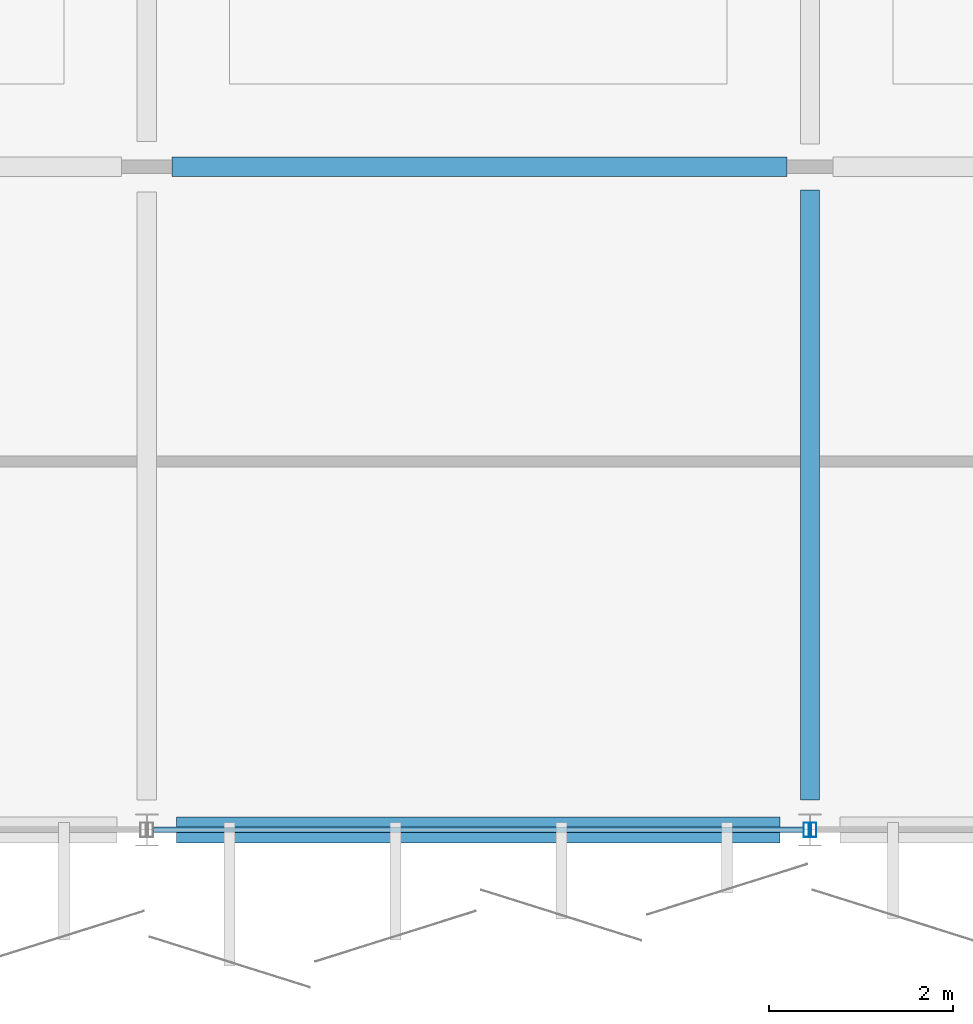
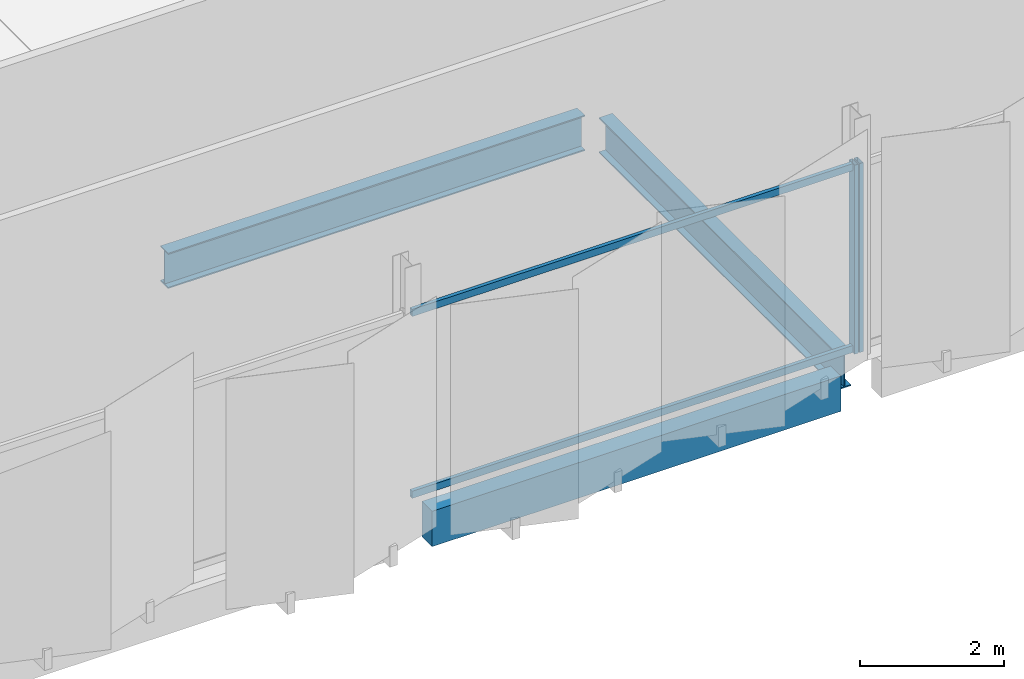
# One storey, part 27 of 91: 4 members, 3 beams, 2 elements without a shape of their own.
"""IFC4 building model written with IfcOpenShell, lengths in metres."""

from ifc_helpers import new_model, si_unit, direction, frame, origin, origin_2d, place, context, subcontext, project, spatial, rectangle, hollow_rectangle, i_section, extrude, material, layer, layer_set, material_profile, profile_set, type_object, element, aggregate, save


model = new_model("IFC4")

# Units and contexts
model_context = context("Model", 3, precision=1e-05, world=origin(), true_north=direction((0.0, 1.0)))
body_context = subcontext(model_context, "Body", "Model", "MODEL_VIEW")
ifc_project = project(units=[si_unit("LENGTHUNIT", "METRE"), si_unit("AREAUNIT", "SQUARE_METRE"), si_unit("VOLUMEUNIT", "CUBIC_METRE"), si_unit("PLANEANGLEUNIT", "RADIAN"), si_unit("MASSUNIT", "GRAM", prefix="KILO")], contexts=[model_context])

# Site, building, storey
site_placement = place(None, origin())
site = spatial("IfcSite", under=ifc_project, at=site_placement, CompositionType="ELEMENT")
building_placement = place(site_placement, origin())
building = spatial("IfcBuilding", under=site, at=building_placement, Name="Kangsadwip Square Police Headquarters", CompositionType="ELEMENT")
storey_placement = place(building_placement, frame((0.0, 0.0, 13.5)))
storey = spatial("IfcBuildingStorey", under=building, at=storey_placement, Name="L03", CompositionType="ELEMENT", Elevation=13.5)

# Curtain wall, member
ifc_material_1 = material(Name="Thermally broken anodised aluminium AW-6063-T6", Category="aluminium")
ifc_layer = layer(ifc_material_1, 0.159912109375)
ifc_layer_set = layer_set([ifc_layer], Name="Thermally broken anodised aluminium AW-6063-T6")
curtain_wall_type = type_object("IfcCurtainWallType", Name="CourtScreen7180x3200", PredefinedType="USERDEFINED", material=ifc_layer_set)
curtain_wall_1_placement = place(storey_placement, origin())
curtain_wall_1 = element("IfcCurtainWall", 1, at=curtain_wall_1_placement, inside=storey, type_object=curtain_wall_type, Name="Curtain Wall CW-L03-1008-0936", ObjectType="GLAZED_SCREEN", PredefinedType="USERDEFINED")
ifc_material_2 = material(Name="Thermally broken anodised aluminium AW-6063-T6", Category="aluminium")
ifc_material_profile_1 = material_profile(ifc_material_2, hollow_rectangle(XDim=0.06005859375, YDim=0.159912109375, WallThickness=0.00390625, at=origin_2d()), Name="CWM 160X60X4")
ifc_profile_set_1 = profile_set([ifc_material_profile_1], Name="Thermally broken anodised aluminium AW-6063-T6")
member_type_1 = type_object("IfcMemberType", Name="CwMullion135x60", PredefinedType="MULLION", material=ifc_profile_set_1)
member_1_placement = place(storey_placement, frame((107.9599609375, 93.60009765625, 0.0), z_axis=(0.0, 0.0, 1.0), x_axis=(1.0, 0.0, 0.0)))
member_1 = element("IfcMember", 2, at=member_1_placement, type_object=member_type_1, Name="CW-17 mullion 2", PredefinedType="MULLION", context=body_context, shape_type="SweptSolid", body=[
    extrude(hollow_rectangle(XDim=0.06005859375, YDim=0.159912109375, WallThickness=0.00390625, at=origin_2d()), origin(), (0.0, 0.0, 1.0), 3.199951171875),
])

curtain_wall_2_placement = place(storey_placement, origin())
curtain_wall_2 = element("IfcCurtainWall", 3, at=curtain_wall_2_placement, inside=storey, type_object=curtain_wall_type, Name="Curtain Wall CW-L03-1080-0936", ObjectType="GLAZED_SCREEN", PredefinedType="USERDEFINED")
member_2_placement = place(storey_placement, frame((108.0400390625, 93.60009765625, 0.0), z_axis=(0.0, 0.0, 1.0), x_axis=(1.0, 0.0, 0.0)))
member_2 = element("IfcMember", 4, at=member_2_placement, type_object=member_type_1, Name="CW-17 mullion 1", PredefinedType="MULLION", context=body_context, shape_type="SweptSolid", body=[
    extrude(hollow_rectangle(XDim=0.06005859375, YDim=0.159912109375, WallThickness=0.00390625, at=origin_2d()), origin(), (0.0, 0.0, 1.0), 3.199951171875),
])
aggregate(curtain_wall_2, [member_2])

# Member
ifc_material_3 = material(Name="Thermally broken anodised aluminium AW-6063-T6", Category="aluminium")
ifc_material_profile_2 = material_profile(ifc_material_3, hollow_rectangle(XDim=0.06005859375, YDim=0.1201171875, WallThickness=0.00390625, at=origin_2d()), Name="CWT 120X60X4")
ifc_profile_set_2 = profile_set([ifc_material_profile_2], Name="Thermally broken anodised aluminium AW-6063-T6")
member_type_2 = type_object("IfcMemberType", Name="CwTransom120x55", PredefinedType="USERDEFINED", material=ifc_profile_set_2)
member_3_placement = place(storey_placement, frame((100.8701171875, 93.60009765625, 0.06005859375), z_axis=(1.0, 0.0, 0.0), x_axis=(0.0, 1.0, 0.0)))
member_3 = element("IfcMember", 5, at=member_3_placement, type_object=member_type_2, Name="CW-17 transom 1.1", ObjectType="TRANSOM", PredefinedType="USERDEFINED", context=body_context, shape_type="SweptSolid", body=[
    extrude(hollow_rectangle(XDim=0.06005859375, YDim=0.1201171875, WallThickness=0.00390625, at=origin_2d()), origin(), (0.0, 0.0, 1.0), 7.059814453125),
])

member_4_placement = place(storey_placement, frame((100.8701171875, 93.60009765625, 3.139892578125), z_axis=(1.0, 0.0, 0.0), x_axis=(0.0, 1.0, 0.0)))
member_4 = element("IfcMember", 6, at=member_4_placement, type_object=member_type_2, Name="CW-17 transom 1.2", ObjectType="TRANSOM", PredefinedType="USERDEFINED", context=body_context, shape_type="SweptSolid", body=[
    extrude(hollow_rectangle(XDim=0.06005859375, YDim=0.1201171875, WallThickness=0.00390625, at=origin_2d()), origin(), (0.0, 0.0, 1.0), 7.059814453125),
])

aggregate(curtain_wall_1, [member_1, member_3, member_4])

# Beams
ifc_material_4 = material(Name="Concrete M40 (40 MPa)", Category="concrete")
ifc_material_profile_3 = material_profile(ifc_material_4, rectangle(XDim=0.280029296875, YDim=0.60009765625, at=origin_2d()), Name="RC SPN 600X280")
ifc_profile_set_3 = profile_set([ifc_material_profile_3], Name="Concrete M40 (40 MPa)")
beam_type_1 = type_object("IfcBeamType", Name="RcSpandrel600x280", PredefinedType="SPANDREL", material=ifc_profile_set_3)
beam_1_placement = place(storey_placement, frame((101.125, 93.60009765625, -0.5400390625), z_axis=(1.0, 0.0, 0.0), x_axis=(0.0, 1.0, 0.0)))
element("IfcBeam", 7, at=beam_1_placement, inside=storey, type_object=beam_type_1, Name="Beam BM-L03-X-14-13", PredefinedType="SPANDREL", context=body_context, shape_type="SweptSolid", body=[
    extrude(rectangle(XDim=0.280029296875, YDim=0.60009765625, at=origin_2d()), origin(), (0.0, 0.0, 1.0), 6.550048828125),
])
ifc_material_5 = material(Name="Structural steel IS 2062 E350 (Grade 350, 350 MPa)", Category="steel")
ifc_material_profile_4 = material_profile(ifc_material_5, i_section(OverallWidth=0.2099609375, OverallDepth=0.60009765625, WebThickness=0.011962890625, FlangeThickness=0.020751953125, at=origin_2d()), Name="ISMB 600")
ifc_profile_set_4 = profile_set([ifc_material_profile_4], Name="Structural steel IS 2062 E350 (Grade 350, 350 MPa)")
beam_type_2 = type_object("IfcBeamType", Name="SteelBeamIsmb600", PredefinedType="BEAM", material=ifc_profile_set_4)
beam_2_placement = place(storey_placement, frame((101.074951171875, 100.800048828125, -0.5400390625), z_axis=(1.0, 0.0, 0.0), x_axis=(0.0, 1.0, 0.0)))
element("IfcBeam", 8, at=beam_2_placement, inside=storey, type_object=beam_type_2, Name="Beam BM-L03-X-14-14", PredefinedType="BEAM", context=body_context, shape_type="SweptSolid", body=[
    extrude(i_section(OverallWidth=0.2099609375, OverallDepth=0.60009765625, WebThickness=0.011962890625, FlangeThickness=0.020751953125, at=origin_2d()), origin(), (0.0, 0.0, 1.0), 6.675048828125),
])
beam_3_placement = place(storey_placement, frame((108.0, 93.925048828125, -0.5400390625), z_axis=(0.0, 1.0, 0.0), x_axis=(-1.0, 0.0, 0.0)))
element("IfcBeam", 9, at=beam_3_placement, inside=storey, type_object=beam_type_2, Name="Beam BM-L03-Y-15-13", PredefinedType="BEAM", context=body_context, shape_type="SweptSolid", body=[
    extrude(i_section(OverallWidth=0.2099609375, OverallDepth=0.60009765625, WebThickness=0.011962890625, FlangeThickness=0.020751953125, at=origin_2d()), origin(), (0.0, 0.0, 1.0), 6.625),
])

save(model, "model.ifc")
